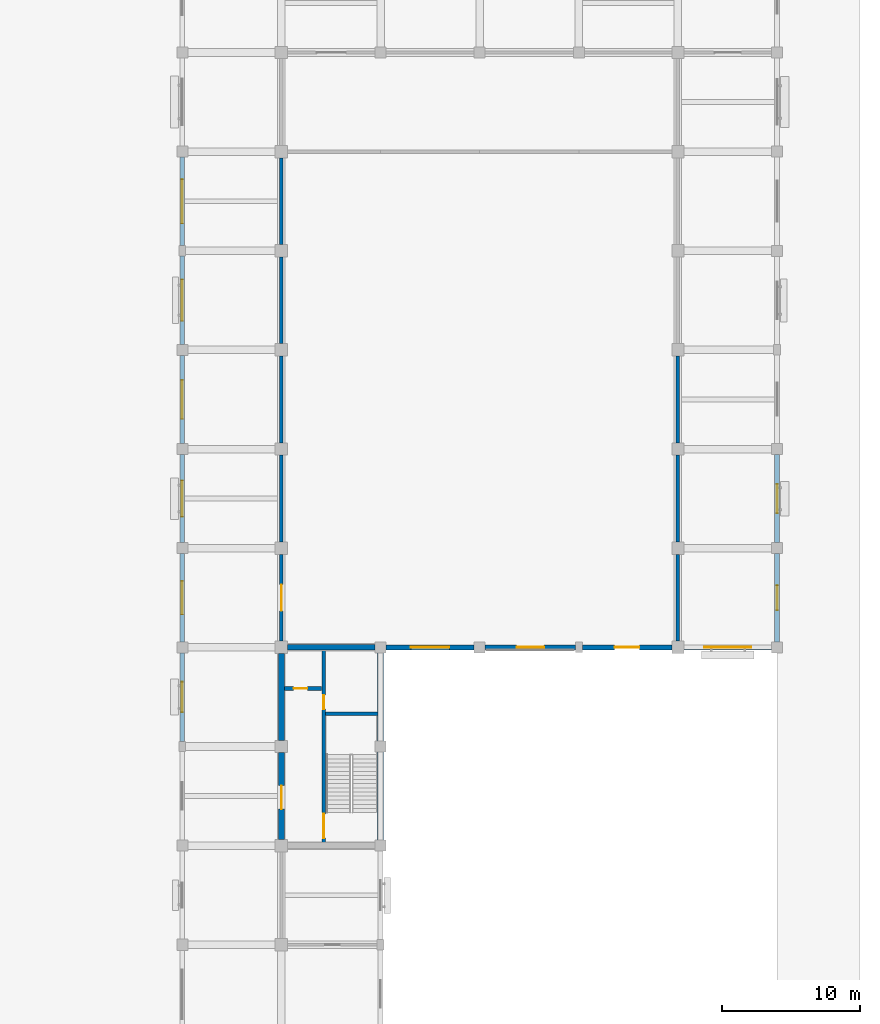
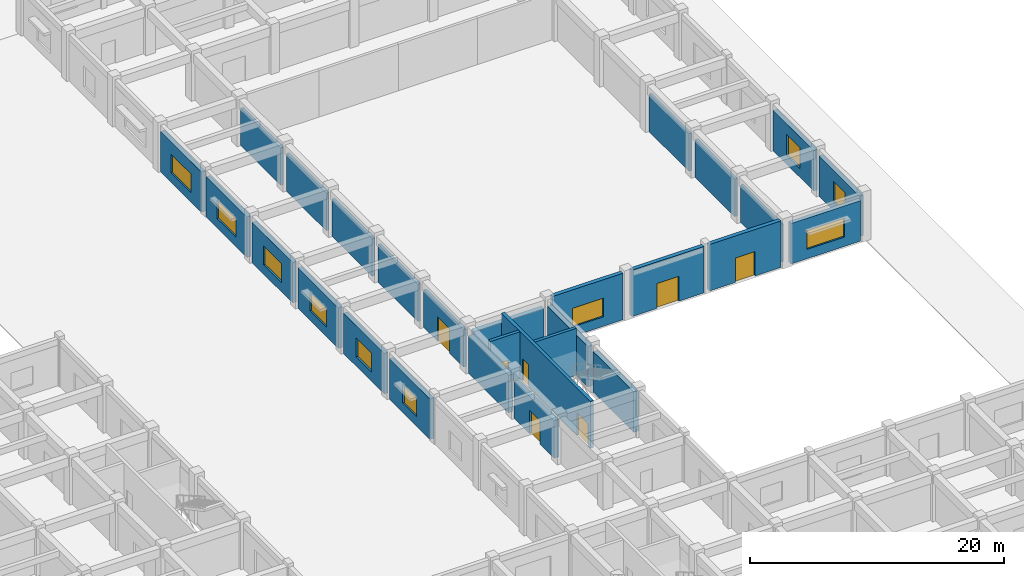
# One storey, part 19 of 37: 28 walls, 10 windows, 7 doors, 17 openings.
"""IFC4 building model written with IfcOpenShell, lengths in metres."""

from ifc_helpers import new_model, si_unit, direction, frame, frame_2d, origin, place, context, subcontext, project, spatial, rectangle, extrude, material, layer, layer_set, type_object, element, fill, save


model = new_model("IFC4")

# Units and contexts
model_context = context("Model", 3, precision=1e-05, world=origin(), true_north=direction((0.0, 1.0)))
body_context = subcontext(model_context, "Body", "Model", "MODEL_VIEW")
ifc_project = project(units=[si_unit("LENGTHUNIT", "METRE"), si_unit("AREAUNIT", "SQUARE_METRE"), si_unit("VOLUMEUNIT", "CUBIC_METRE"), si_unit("PLANEANGLEUNIT", "RADIAN"), si_unit("MASSUNIT", "GRAM", prefix="KILO")], contexts=[model_context])

# Site, building, storey
site_placement = place(None, origin())
site = spatial("IfcSite", under=ifc_project, at=site_placement, CompositionType="ELEMENT")
building_placement = place(site_placement, origin())
building = spatial("IfcBuilding", under=site, at=building_placement, Name="Cendaluz Park School", CompositionType="ELEMENT")
storey_placement = place(building_placement, origin())
storey = spatial("IfcBuildingStorey", under=building, at=storey_placement, Name="L00", CompositionType="ELEMENT", Elevation=0.0)

# Wall, opening, door
ifc_material_1 = material(Name="Gypsum Plasterboard on Cold-Formed Stud", Category="gypsum")
ifc_layer_1 = layer(ifc_material_1, 0.25)
ifc_layer_set_1 = layer_set([ifc_layer_1], Name="Gypsum Plasterboard on Cold-Formed Stud")
wall_type_1 = type_object("IfcWallType", Name="W-CP25", PredefinedType="PARTITIONING", material=ifc_layer_set_1)
wall_1_placement = place(storey_placement, frame((136.800048828125, 58.050048828125, 0.0), z_axis=(0.0, 0.0, 1.0), x_axis=(0.0, 1.0, 0.0)))
wall_1 = element("IfcWall", 1, at=wall_1_placement, inside=storey, type_object=wall_type_1, Name="WL-FA-CA4", PredefinedType="PARTITIONING", context=body_context, shape_type="SweptSolid", body=[
    extrude(rectangle(XDim=6.300048828125, YDim=0.25, at=frame_2d((3.14990234375, 0.0))), origin(), (0.0, 0.0, 1.0), 3.6201171875),
])
opening_1_placement = place(wall_1_placement, frame((2.199951171875, 0.0, 0.0)))
opening_1 = element("IfcOpeningElement", 2, at=opening_1_placement, cuts=wall_1, Name="Opening DHL-01", PredefinedType="OPENING", context=body_context, shape_type="SweptSolid", body=[
    extrude(rectangle(XDim=1.89990234375, YDim=2.35009765625, at=frame_2d((0.949951171875, 1.175048828125))), frame((0.0, 0.136962890625, 0.0), z_axis=(0.0, -1.0, 0.0), x_axis=(1.0, 0.0, 0.0)), (0.0, 0.0, 1.0), 0.27392578125),
])
ifc_material_2 = material(Name="Solid Core Hardwood", Category="wood")
door_type_1 = type_object("IfcDoorType", Name="DHL-01", OperationType="DOUBLE_DOOR_SINGLE_SWING", PredefinedType="DOOR", material=ifc_material_2)
door_1_placement = place(opening_1_placement, origin())
door_1 = element("IfcDoor", 3, at=door_1_placement, inside=storey, type_object=door_type_1, Name="D-L00-068", OperationType="DOUBLE_DOOR_SINGLE_SWING", OverallHeight=2.35009765625, OverallWidth=1.89990234375, PredefinedType="DOOR", context=body_context, shape_type="SweptSolid", body=[
    extrude(rectangle(XDim=1.89990234375, YDim=2.35009765625, at=frame_2d((0.949951171875, 1.175048828125))), frame((0.0, 0.02490234375, 0.0), z_axis=(0.0, -1.0, 0.0), x_axis=(1.0, 0.0, 0.0)), (0.0, 0.0, 1.0), 0.050048828125),
])
fill(opening_1, door_1)

# Walls
for number, where, z_axis, x_axis, name in (
    (4, (136.800048828125, 65.25, 0.0), (0.0, 0.0, 1.0), (0.0, 1.0, 0.0), "WL-FA-CA5"),
    (5, (136.800048828125, 72.449951171875, 0.0), (0.0, 0.0, 1.0), (0.0, 1.0, 0.0), "WL-FA-CA6"),
    (6, (136.800048828125, 79.64990234375, 0.0), (0.0, 0.0, 1.0), (0.0, 1.0, 0.0), "WL-FA-CA7"),
):
    element("IfcWall", number, at=place(storey_placement, frame(where, z_axis=z_axis, x_axis=x_axis)), inside=storey, type_object=wall_type_1, Name=name, PredefinedType="PARTITIONING", context=body_context, shape_type="SweptSolid", body=[
        extrude(rectangle(XDim=6.300048828125, YDim=0.25, at=frame_2d((3.14990234375, 0.0))), origin(), (0.0, 0.0, 1.0), 3.6201171875),
    ])
wall_2_placement = place(storey_placement, frame((136.800048828125, 86.85009765625, 0.0), z_axis=(0.0, 0.0, 1.0), x_axis=(0.0, 1.0, 0.0)))
element("IfcWall", 7, at=wall_2_placement, inside=storey, type_object=wall_type_1, Name="WL-FA-CA9", PredefinedType="PARTITIONING", context=body_context, shape_type="SweptSolid", body=[
    extrude(rectangle(XDim=6.2998046875, YDim=0.25, at=frame_2d((3.14990234375, 0.0))), origin(), (0.0, 0.0, 1.0), 3.6201171875),
])
for number, where, z_axis, x_axis, name in (
    (8, (165.60009765625, 58.050048828125, 0.0), (0.0, 0.0, 1.0), (0.0, 1.0, 0.0), "WL-FA-CB2"),
    (9, (165.60009765625, 65.25, 0.0), (0.0, 0.0, 1.0), (0.0, 1.0, 0.0), "WL-FA-CB3"),
    (10, (165.60009765625, 72.449951171875, 0.0), (0.0, 0.0, 1.0), (0.0, 1.0, 0.0), "WL-FA-CB4"),
):
    element("IfcWall", number, at=place(storey_placement, frame(where, z_axis=z_axis, x_axis=x_axis)), inside=storey, type_object=wall_type_1, Name=name, PredefinedType="PARTITIONING", context=body_context, shape_type="SweptSolid", body=[
        extrude(rectangle(XDim=6.300048828125, YDim=0.25, at=frame_2d((3.14990234375, 0.0))), origin(), (0.0, 0.0, 1.0), 3.6201171875),
    ])

# Wall, opening, window
ifc_material_3 = material(Name="Concrete C40/50 precast", Category="concrete")
ifc_layer_2 = layer(ifc_material_3, 0.360107421875)
ifc_layer_set_2 = layer_set([ifc_layer_2], Name="Concrete C40/50 precast")
wall_type_2 = type_object("IfcWallType", Name="W-EX36", PredefinedType="SOLIDWALL", material=ifc_layer_set_2)
wall_3_placement = place(storey_placement, frame((129.60009765625, 50.77490234375, 0.0), z_axis=(0.0, 0.0, 1.0), x_axis=(0.0, 1.0, 0.0)))
wall_3 = element("IfcWall", 11, at=wall_3_placement, inside=storey, type_object=wall_type_2, Name="WL-FA-AI6", PredefinedType="SOLIDWALL", context=body_context, shape_type="SweptSolid", body=[
    extrude(rectangle(XDim=6.425048828125, YDim=0.360107421875, at=frame_2d((3.21240234375, 0.0))), origin(), (0.0, 0.0, 1.0), 3.889892578125),
])
opening_2_placement = place(wall_3_placement, frame((2.112548828125, 0.0, 0.89990234375)))
opening_2 = element("IfcOpeningElement", 12, at=opening_2_placement, cuts=wall_3, Name="Opening WN-03", PredefinedType="OPENING", context=body_context, shape_type="SweptSolid", body=[
    extrude(rectangle(XDim=2.199951171875, YDim=1.800048828125, at=frame_2d((1.10009765625, 0.89990234375))), frame((0.0, 0.192138671875, 0.0), z_axis=(0.0, -1.0, 0.0), x_axis=(1.0, 0.0, 0.0)), (0.0, 0.0, 1.0), 0.384033203125),
])
ifc_material_4 = material(Name="Tempered Low-E Double Glazing", Category="glass")
window_type_1 = type_object("IfcWindowType", Name="WN-03", PartitioningType="SINGLE_PANEL", PredefinedType="WINDOW", material=ifc_material_4)
window_1_placement = place(opening_2_placement, origin())
window_1 = element("IfcWindow", 13, at=window_1_placement, inside=storey, type_object=window_type_1, Name="WN-L00-066", OverallHeight=1.800048828125, OverallWidth=2.199951171875, PartitioningType="SINGLE_PANEL", PredefinedType="WINDOW", context=body_context, shape_type="SweptSolid", body=[
    extrude(rectangle(XDim=2.199951171875, YDim=1.800048828125, at=frame_2d((1.10009765625, 0.89990234375))), frame((0.0, 0.030029296875, 0.0), z_axis=(0.0, -1.0, 0.0), x_axis=(1.0, 0.0, 0.0)), (0.0, 0.0, 1.0), 0.06005859375),
])
fill(opening_2, window_1)

wall_4_placement = place(storey_placement, frame((129.60009765625, 58.0, 0.0), z_axis=(0.0, 0.0, 1.0), x_axis=(0.0, 1.0, 0.0)))
wall_4 = element("IfcWall", 14, at=wall_4_placement, inside=storey, type_object=wall_type_2, Name="WL-FA-AI7", PredefinedType="SOLIDWALL", context=body_context, shape_type="SweptSolid", body=[
    extrude(rectangle(XDim=6.39990234375, YDim=0.360107421875, at=frame_2d((3.199951171875, 0.0))), origin(), (0.0, 0.0, 1.0), 3.889892578125),
])
opening_3_placement = place(wall_4_placement, frame((2.0, 0.0, 0.89990234375)))
opening_3 = element("IfcOpeningElement", 15, at=opening_3_placement, cuts=wall_4, Name="Opening WN-04", PredefinedType="OPENING", context=body_context, shape_type="SweptSolid", body=[
    extrude(rectangle(XDim=2.39990234375, YDim=1.800048828125, at=frame_2d((1.199951171875, 0.89990234375))), frame((0.0, 0.192138671875, 0.0), z_axis=(0.0, -1.0, 0.0), x_axis=(1.0, 0.0, 0.0)), (0.0, 0.0, 1.0), 0.384033203125),
])
window_type_2 = type_object("IfcWindowType", Name="WN-04", PartitioningType="SINGLE_PANEL", PredefinedType="WINDOW", material=ifc_material_4)
window_2_placement = place(opening_3_placement, origin())
window_2 = element("IfcWindow", 16, at=window_2_placement, inside=storey, type_object=window_type_2, Name="WN-L00-067", OverallHeight=1.800048828125, OverallWidth=2.39990234375, PartitioningType="SINGLE_PANEL", PredefinedType="WINDOW", context=body_context, shape_type="SweptSolid", body=[
    extrude(rectangle(XDim=2.39990234375, YDim=1.800048828125, at=frame_2d((1.199951171875, 0.89990234375))), frame((0.0, 0.030029296875, 0.0), z_axis=(0.0, -1.0, 0.0), x_axis=(1.0, 0.0, 0.0)), (0.0, 0.0, 1.0), 0.06005859375),
])
fill(opening_3, window_2)

wall_5_placement = place(storey_placement, frame((129.60009765625, 65.199951171875, 0.0), z_axis=(0.0, 0.0, 1.0), x_axis=(0.0, 1.0, 0.0)))
wall_5 = element("IfcWall", 17, at=wall_5_placement, inside=storey, type_object=wall_type_2, Name="WL-FA-AI8", PredefinedType="SOLIDWALL", context=body_context, shape_type="SweptSolid", body=[
    extrude(rectangle(XDim=6.400146484375, YDim=0.360107421875, at=frame_2d((3.2001953125, 0.0))), origin(), (0.0, 0.0, 1.0), 3.889892578125),
])
opening_4_placement = place(wall_5_placement, frame((1.89990234375, 0.0, 0.89990234375)))
opening_4 = element("IfcOpeningElement", 18, at=opening_4_placement, cuts=wall_5, Name="Opening WN-05", PredefinedType="OPENING", context=body_context, shape_type="SweptSolid", body=[
    extrude(rectangle(XDim=2.60009765625, YDim=1.800048828125, at=frame_2d((1.300048828125, 0.89990234375))), frame((0.0, 0.192138671875, 0.0), z_axis=(0.0, -1.0, 0.0), x_axis=(1.0, 0.0, 0.0)), (0.0, 0.0, 1.0), 0.384033203125),
])
window_type_3 = type_object("IfcWindowType", Name="WN-05", PartitioningType="SINGLE_PANEL", PredefinedType="WINDOW", material=ifc_material_4)
window_3_placement = place(opening_4_placement, origin())
window_3 = element("IfcWindow", 19, at=window_3_placement, inside=storey, type_object=window_type_3, Name="WN-L00-068", OverallHeight=1.800048828125, OverallWidth=2.60009765625, PartitioningType="SINGLE_PANEL", PredefinedType="WINDOW", context=body_context, shape_type="SweptSolid", body=[
    extrude(rectangle(XDim=2.60009765625, YDim=1.800048828125, at=frame_2d((1.300048828125, 0.89990234375))), frame((0.0, 0.030029296875, 0.0), z_axis=(0.0, -1.0, 0.0), x_axis=(1.0, 0.0, 0.0)), (0.0, 0.0, 1.0), 0.06005859375),
])
fill(opening_4, window_3)

wall_6_placement = place(storey_placement, frame((129.60009765625, 72.39990234375, 0.0), z_axis=(0.0, 0.0, 1.0), x_axis=(0.0, 1.0, 0.0)))
wall_6 = element("IfcWall", 20, at=wall_6_placement, inside=storey, type_object=wall_type_2, Name="WL-FA-AI9", PredefinedType="SOLIDWALL", context=body_context, shape_type="SweptSolid", body=[
    extrude(rectangle(XDim=6.400146484375, YDim=0.360107421875, at=frame_2d((3.2001953125, 0.0))), origin(), (0.0, 0.0, 1.0), 3.889892578125),
])
opening_5_placement = place(wall_6_placement, frame((1.800048828125, 0.0, 0.89990234375)))
opening_5 = element("IfcOpeningElement", 21, at=opening_5_placement, cuts=wall_6, Name="Opening WN-06", PredefinedType="OPENING", context=body_context, shape_type="SweptSolid", body=[
    extrude(rectangle(XDim=2.800048828125, YDim=1.800048828125, at=frame_2d((1.39990234375, 0.89990234375))), frame((0.0, 0.192138671875, 0.0), z_axis=(0.0, -1.0, 0.0), x_axis=(1.0, 0.0, 0.0)), (0.0, 0.0, 1.0), 0.384033203125),
])
window_type_4 = type_object("IfcWindowType", Name="WN-06", PartitioningType="SINGLE_PANEL", PredefinedType="WINDOW", material=ifc_material_4)
window_4_placement = place(opening_5_placement, origin())
window_4 = element("IfcWindow", 22, at=window_4_placement, inside=storey, type_object=window_type_4, Name="WN-L00-069", OverallHeight=1.800048828125, OverallWidth=2.800048828125, PartitioningType="SINGLE_PANEL", PredefinedType="WINDOW", context=body_context, shape_type="SweptSolid", body=[
    extrude(rectangle(XDim=2.800048828125, YDim=1.800048828125, at=frame_2d((1.39990234375, 0.89990234375))), frame((0.0, 0.030029296875, 0.0), z_axis=(0.0, -1.0, 0.0), x_axis=(1.0, 0.0, 0.0)), (0.0, 0.0, 1.0), 0.06005859375),
])
fill(opening_5, window_4)

wall_7_placement = place(storey_placement, frame((129.60009765625, 79.60009765625, 0.0), z_axis=(0.0, 0.0, 1.0), x_axis=(0.0, 1.0, 0.0)))
wall_7 = element("IfcWall", 23, at=wall_7_placement, inside=storey, type_object=wall_type_2, Name="WL-FA-AJ0", PredefinedType="SOLIDWALL", context=body_context, shape_type="SweptSolid", body=[
    extrude(rectangle(XDim=6.4248046875, YDim=0.360107421875, at=frame_2d((3.21240234375, 0.0))), origin(), (0.0, 0.0, 1.0), 3.889892578125),
])
opening_6_placement = place(wall_7_placement, frame((1.71240234375, 0.0, 0.89990234375)))
opening_6 = element("IfcOpeningElement", 24, at=opening_6_placement, cuts=wall_7, Name="Opening WN-07", PredefinedType="OPENING", context=body_context, shape_type="SweptSolid", body=[
    extrude(rectangle(XDim=3.0, YDim=1.800048828125, at=frame_2d((1.5, 0.89990234375))), frame((0.0, 0.192138671875, 0.0), z_axis=(0.0, -1.0, 0.0), x_axis=(1.0, 0.0, 0.0)), (0.0, 0.0, 1.0), 0.384033203125),
])
window_type_5 = type_object("IfcWindowType", Name="WN-07", PartitioningType="SINGLE_PANEL", PredefinedType="WINDOW", material=ifc_material_4)
window_5_placement = place(opening_6_placement, origin())
window_5 = element("IfcWindow", 25, at=window_5_placement, inside=storey, type_object=window_type_5, Name="WN-L00-070", OverallHeight=1.800048828125, OverallWidth=3.0, PartitioningType="SINGLE_PANEL", PredefinedType="WINDOW", context=body_context, shape_type="SweptSolid", body=[
    extrude(rectangle(XDim=3.0, YDim=1.800048828125, at=frame_2d((1.5, 0.89990234375))), frame((0.0, 0.030029296875, 0.0), z_axis=(0.0, -1.0, 0.0), x_axis=(1.0, 0.0, 0.0)), (0.0, 0.0, 1.0), 0.06005859375),
])
fill(opening_6, window_5)

wall_8_placement = place(storey_placement, frame((129.60009765625, 86.77490234375, 0.0), z_axis=(0.0, 0.0, 1.0), x_axis=(0.0, 1.0, 0.0)))
wall_8 = element("IfcWall", 26, at=wall_8_placement, inside=storey, type_object=wall_type_2, Name="WL-FA-AJ1", PredefinedType="SOLIDWALL", context=body_context, shape_type="SweptSolid", body=[
    extrude(rectangle(XDim=6.425048828125, YDim=0.360107421875, at=frame_2d((3.21240234375, 0.0))), origin(), (0.0, 0.0, 1.0), 3.889892578125),
])
opening_7_placement = place(wall_8_placement, frame((1.612548828125, 0.0, 0.89990234375)))
opening_7 = element("IfcOpeningElement", 27, at=opening_7_placement, cuts=wall_8, Name="Opening WN-08", PredefinedType="OPENING", context=body_context, shape_type="SweptSolid", body=[
    extrude(rectangle(XDim=3.199951171875, YDim=1.800048828125, at=frame_2d((1.60009765625, 0.89990234375))), frame((0.0, 0.192138671875, 0.0), z_axis=(0.0, -1.0, 0.0), x_axis=(1.0, 0.0, 0.0)), (0.0, 0.0, 1.0), 0.384033203125),
])
window_type_6 = type_object("IfcWindowType", Name="WN-08", PartitioningType="SINGLE_PANEL", PredefinedType="WINDOW", material=ifc_material_4)
window_6_placement = place(opening_7_placement, origin())
window_6 = element("IfcWindow", 28, at=window_6_placement, inside=storey, type_object=window_type_6, Name="WN-L00-071", OverallHeight=1.800048828125, OverallWidth=3.199951171875, PartitioningType="SINGLE_PANEL", PredefinedType="WINDOW", context=body_context, shape_type="SweptSolid", body=[
    extrude(rectangle(XDim=3.199951171875, YDim=1.800048828125, at=frame_2d((1.60009765625, 0.89990234375))), frame((0.0, 0.030029296875, 0.0), z_axis=(0.0, -1.0, 0.0), x_axis=(1.0, 0.0, 0.0)), (0.0, 0.0, 1.0), 0.06005859375),
])
fill(opening_7, window_6)

wall_9_placement = place(storey_placement, frame((144.39990234375, 57.60009765625, 0.0), z_axis=(0.0, 0.0, 1.0), x_axis=(1.0, 0.0, 0.0)))
wall_9 = element("IfcWall", 29, at=wall_9_placement, inside=storey, type_object=wall_type_2, Name="WL-FA-AK2", PredefinedType="SOLIDWALL", context=body_context, shape_type="SweptSolid", body=[
    extrude(rectangle(XDim=6.400146484375, YDim=0.360107421875, at=frame_2d((3.2001953125, 0.0))), origin(), (0.0, 0.0, 1.0), 4.469970703125),
])
opening_8_placement = place(wall_9_placement, frame((1.800048828125, 0.0, 0.89990234375)))
opening_8 = element("IfcOpeningElement", 30, at=opening_8_placement, cuts=wall_9, Name="Opening WN-06", PredefinedType="OPENING", context=body_context, shape_type="SweptSolid", body=[
    extrude(rectangle(XDim=2.800048828125, YDim=1.800048828125, at=frame_2d((1.39990234375, 0.89990234375))), frame((0.0, 0.192138671875, 0.0), z_axis=(0.0, -1.0, 0.0), x_axis=(1.0, 0.0, 0.0)), (0.0, 0.0, 1.0), 0.384033203125),
])
window_7_placement = place(opening_8_placement, origin())
window_7 = element("IfcWindow", 31, at=window_7_placement, inside=storey, type_object=window_type_4, Name="WN-L00-080", OverallHeight=1.800048828125, OverallWidth=2.800048828125, PartitioningType="SINGLE_PANEL", PredefinedType="WINDOW", context=body_context, shape_type="SweptSolid", body=[
    extrude(rectangle(XDim=2.800048828125, YDim=1.800048828125, at=frame_2d((1.39990234375, 0.89990234375))), frame((0.0, 0.030029296875, 0.0), z_axis=(0.0, -1.0, 0.0), x_axis=(1.0, 0.0, 0.0)), (0.0, 0.0, 1.0), 0.06005859375),
])
fill(opening_8, window_7)

# Wall, opening, door
wall_10_placement = place(storey_placement, frame((151.60009765625, 57.60009765625, 0.0), z_axis=(0.0, 0.0, 1.0), x_axis=(1.0, 0.0, 0.0)))
wall_10 = element("IfcWall", 32, at=wall_10_placement, inside=storey, type_object=wall_type_2, Name="WL-FA-AK6", PredefinedType="SOLIDWALL", context=body_context, shape_type="SweptSolid", body=[
    extrude(rectangle(XDim=6.5498046875, YDim=0.360107421875, at=frame_2d((3.27490234375, 0.0))), origin(), (0.0, 0.0, 1.0), 4.469970703125),
])
opening_9_placement = place(wall_10_placement, frame((2.27490234375, 0.0, 0.0)))
opening_9 = element("IfcOpeningElement", 33, at=opening_9_placement, cuts=wall_10, Name="Opening DEX-02", PredefinedType="OPENING", context=body_context, shape_type="SweptSolid", body=[
    extrude(rectangle(XDim=2.0, YDim=2.39990234375, at=frame_2d((1.0, 1.199951171875))), frame((0.0, 0.192138671875, 0.0), z_axis=(0.0, -1.0, 0.0), x_axis=(1.0, 0.0, 0.0)), (0.0, 0.0, 1.0), 0.384033203125),
])
ifc_material_5 = material(Name="Architectural Bronze")
door_type_2 = type_object("IfcDoorType", Name="DEX-02", OperationType="DOUBLE_DOOR_SINGLE_SWING", PredefinedType="DOOR", material=ifc_material_5)
door_2_placement = place(opening_9_placement, frame((2.0, 0.0, 0.0), z_axis=(0.0, 0.0, 1.0), x_axis=(-1.0, 0.0, 0.0)))
door_2 = element("IfcDoor", 34, at=door_2_placement, inside=storey, type_object=door_type_2, Name="D-L00-025", OperationType="DOUBLE_DOOR_SINGLE_SWING", OverallHeight=2.39990234375, OverallWidth=2.0, PredefinedType="DOOR", context=body_context, shape_type="SweptSolid", body=[
    extrude(rectangle(XDim=2.0, YDim=2.39990234375, at=frame_2d((1.0, 1.199951171875))), frame((0.0, 0.02490234375, 0.0), z_axis=(0.0, -1.0, 0.0), x_axis=(1.0, 0.0, 0.0)), (0.0, 0.0, 1.0), 0.050048828125),
])
fill(opening_9, door_2)

wall_11_placement = place(storey_placement, frame((158.64990234375, 57.60009765625, 0.0), z_axis=(0.0, 0.0, 1.0), x_axis=(1.0, 0.0, 0.0)))
wall_11 = element("IfcWall", 35, at=wall_11_placement, inside=storey, type_object=wall_type_2, Name="WL-FA-AL0", PredefinedType="SOLIDWALL", context=body_context, shape_type="SweptSolid", body=[
    extrude(rectangle(XDim=6.5, YDim=0.360107421875, at=frame_2d((3.25, 0.0))), origin(), (0.0, 0.0, 1.0), 4.469970703125),
])
opening_10_placement = place(wall_11_placement, frame((2.35009765625, 0.0, 0.0)))
opening_10 = element("IfcOpeningElement", 36, at=opening_10_placement, cuts=wall_11, Name="Opening DEX-03", PredefinedType="OPENING", context=body_context, shape_type="SweptSolid", body=[
    extrude(rectangle(XDim=1.800048828125, YDim=2.35009765625, at=frame_2d((0.89990234375, 1.175048828125))), frame((0.0, 0.192138671875, 0.0), z_axis=(0.0, -1.0, 0.0), x_axis=(1.0, 0.0, 0.0)), (0.0, 0.0, 1.0), 0.384033203125),
])
door_type_3 = type_object("IfcDoorType", Name="DEX-03", OperationType="DOUBLE_DOOR_SINGLE_SWING", PredefinedType="DOOR", material=ifc_material_5)
door_3_placement = place(opening_10_placement, frame((1.800048828125, 0.0, 0.0), z_axis=(0.0, 0.0, 1.0), x_axis=(-1.0, 0.0, 0.0)))
door_3 = element("IfcDoor", 37, at=door_3_placement, inside=storey, type_object=door_type_3, Name="D-L00-028", OperationType="DOUBLE_DOOR_SINGLE_SWING", OverallHeight=2.35009765625, OverallWidth=1.800048828125, PredefinedType="DOOR", context=body_context, shape_type="SweptSolid", body=[
    extrude(rectangle(XDim=1.800048828125, YDim=2.35009765625, at=frame_2d((0.89990234375, 1.175048828125))), frame((0.0, 0.02490234375, 0.0), z_axis=(0.0, -1.0, 0.0), x_axis=(1.0, 0.0, 0.0)), (0.0, 0.0, 1.0), 0.050048828125),
])
fill(opening_10, door_3)

# Wall, opening, window
wall_12_placement = place(storey_placement, frame((166.050048828125, 57.60009765625, 0.0), z_axis=(0.0, 0.0, 1.0), x_axis=(1.0, 0.0, 0.0)))
wall_12 = element("IfcWall", 38, at=wall_12_placement, inside=storey, type_object=wall_type_2, Name="WL-FA-AL8", PredefinedType="SOLIDWALL", context=body_context, shape_type="SweptSolid", body=[
    extrude(rectangle(XDim=6.349853515625, YDim=0.360107421875, at=frame_2d((3.1748046875, 0.0))), origin(), (0.0, 0.0, 1.0), 3.889892578125),
])
opening_11_placement = place(wall_12_placement, frame((1.47509765625, 0.0, 0.89990234375)))
opening_11 = element("IfcOpeningElement", 39, at=opening_11_placement, cuts=wall_12, Name="Opening WN-09", PredefinedType="OPENING", context=body_context, shape_type="SweptSolid", body=[
    extrude(rectangle(XDim=3.39990234375, YDim=1.800048828125, at=frame_2d((1.699951171875, 0.89990234375))), frame((0.0, 0.192138671875, 0.0), z_axis=(0.0, -1.0, 0.0), x_axis=(1.0, 0.0, 0.0)), (0.0, 0.0, 1.0), 0.384033203125),
])
window_type_7 = type_object("IfcWindowType", Name="WN-09", PartitioningType="SINGLE_PANEL", PredefinedType="WINDOW", material=ifc_material_4)
window_8_placement = place(opening_11_placement, origin())
window_8 = element("IfcWindow", 40, at=window_8_placement, inside=storey, type_object=window_type_7, Name="WN-L00-090", OverallHeight=1.800048828125, OverallWidth=3.39990234375, PartitioningType="SINGLE_PANEL", PredefinedType="WINDOW", context=body_context, shape_type="SweptSolid", body=[
    extrude(rectangle(XDim=3.39990234375, YDim=1.800048828125, at=frame_2d((1.699951171875, 0.89990234375))), frame((0.0, 0.030029296875, 0.0), z_axis=(0.0, -1.0, 0.0), x_axis=(1.0, 0.0, 0.0)), (0.0, 0.0, 1.0), 0.06005859375),
])
fill(opening_11, window_8)

wall_13_placement = place(storey_placement, frame((172.800048828125, 58.0, 0.0), z_axis=(0.0, 0.0, 1.0), x_axis=(0.0, 1.0, 0.0)))
wall_13 = element("IfcWall", 41, at=wall_13_placement, inside=storey, type_object=wall_type_2, Name="WL-FA-AL9", PredefinedType="SOLIDWALL", context=body_context, shape_type="SweptSolid", body=[
    extrude(rectangle(XDim=6.39990234375, YDim=0.360107421875, at=frame_2d((3.199951171875, 0.0))), origin(), (0.0, 0.0, 1.0), 3.889892578125),
])
opening_12_placement = place(wall_13_placement, frame((2.300048828125, 0.0, 0.85009765625)))
opening_12 = element("IfcOpeningElement", 42, at=opening_12_placement, cuts=wall_13, Name="Opening WN-10", PredefinedType="OPENING", context=body_context, shape_type="SweptSolid", body=[
    extrude(rectangle(XDim=1.800048828125, YDim=2.0, at=frame_2d((0.89990234375, 1.0))), frame((0.0, 0.192138671875, 0.0), z_axis=(0.0, -1.0, 0.0), x_axis=(1.0, 0.0, 0.0)), (0.0, 0.0, 1.0), 0.384033203125),
])
window_type_8 = type_object("IfcWindowType", Name="WN-10", PartitioningType="SINGLE_PANEL", PredefinedType="WINDOW", material=ifc_material_4)
window_9_placement = place(opening_12_placement, origin())
window_9 = element("IfcWindow", 43, at=window_9_placement, inside=storey, type_object=window_type_8, Name="WN-L00-091", OverallHeight=2.0, OverallWidth=1.800048828125, PartitioningType="SINGLE_PANEL", PredefinedType="WINDOW", context=body_context, shape_type="SweptSolid", body=[
    extrude(rectangle(XDim=1.800048828125, YDim=2.0, at=frame_2d((0.89990234375, 1.0))), frame((0.0, 0.030029296875, 0.0), z_axis=(0.0, -1.0, 0.0), x_axis=(1.0, 0.0, 0.0)), (0.0, 0.0, 1.0), 0.06005859375),
])
fill(opening_12, window_9)

wall_14_placement = place(storey_placement, frame((172.800048828125, 65.199951171875, 0.0), z_axis=(0.0, 0.0, 1.0), x_axis=(0.0, 1.0, 0.0)))
wall_14 = element("IfcWall", 44, at=wall_14_placement, inside=storey, type_object=wall_type_2, Name="WL-FA-AM0", PredefinedType="SOLIDWALL", context=body_context, shape_type="SweptSolid", body=[
    extrude(rectangle(XDim=6.400146484375, YDim=0.360107421875, at=frame_2d((3.2001953125, 0.0))), origin(), (0.0, 0.0, 1.0), 3.889892578125),
])
opening_13_placement = place(wall_14_placement, frame((2.14990234375, 0.0, 0.85009765625)))
opening_13 = element("IfcOpeningElement", 45, at=opening_13_placement, cuts=wall_14, Name="Opening WN-11", PredefinedType="OPENING", context=body_context, shape_type="SweptSolid", body=[
    extrude(rectangle(XDim=2.10009765625, YDim=2.0, at=frame_2d((1.050048828125, 1.0))), frame((0.0, 0.192138671875, 0.0), z_axis=(0.0, -1.0, 0.0), x_axis=(1.0, 0.0, 0.0)), (0.0, 0.0, 1.0), 0.384033203125),
])
window_type_9 = type_object("IfcWindowType", Name="WN-11", PartitioningType="SINGLE_PANEL", PredefinedType="WINDOW", material=ifc_material_4)
window_10_placement = place(opening_13_placement, origin())
window_10 = element("IfcWindow", 46, at=window_10_placement, inside=storey, type_object=window_type_9, Name="WN-L00-092", OverallHeight=2.0, OverallWidth=2.10009765625, PartitioningType="SINGLE_PANEL", PredefinedType="WINDOW", context=body_context, shape_type="SweptSolid", body=[
    extrude(rectangle(XDim=2.10009765625, YDim=2.0, at=frame_2d((1.050048828125, 1.0))), frame((0.0, 0.030029296875, 0.0), z_axis=(0.0, -1.0, 0.0), x_axis=(1.0, 0.0, 0.0)), (0.0, 0.0, 1.0), 0.06005859375),
])
fill(opening_13, window_10)

# Wall, openings, doors
ifc_material_6 = material(Name="Concrete C40/50", Category="concrete")
ifc_layer_3 = layer(ifc_material_6, 0.280029296875)
ifc_layer_set_3 = layer_set([ifc_layer_3], Name="Concrete C40/50")
wall_type_3 = type_object("IfcWallType", Name="W-FW28", PredefinedType="SHEAR", material=ifc_layer_set_3)
wall_15_placement = place(storey_placement, frame((139.8798828125, 43.39990234375, 0.0), z_axis=(0.0, 0.0, 1.0), x_axis=(0.0, 1.0, 0.0)))
wall_15 = element("IfcWall", 47, at=wall_15_placement, inside=storey, type_object=wall_type_3, Name="WL-FA-BX7", PredefinedType="SHEAR", context=body_context, shape_type="SweptSolid", body=[
    extrude(rectangle(XDim=14.0, YDim=0.280029296875, at=frame_2d((7.0, 0.0))), origin(), (0.0, 0.0, 1.0), 4.52001953125),
])
opening_14_placement = place(wall_15_placement, frame((0.35009765625, 0.0, 0.0)))
opening_14 = element("IfcOpeningElement", 48, at=opening_14_placement, cuts=wall_15, Name="Opening DST-03", PredefinedType="OPENING", context=body_context, shape_type="SweptSolid", body=[
    extrude(rectangle(XDim=1.75, YDim=2.14990234375, at=frame_2d((0.875, 1.074951171875))), frame((0.0, 0.152099609375, 0.0), z_axis=(0.0, -1.0, 0.0), x_axis=(1.0, 0.0, 0.0)), (0.0, 0.0, 1.0), 0.303955078125),
])
opening_15_placement = place(wall_15_placement, frame((9.719970703125, 0.0, 0.0)))
opening_15 = element("IfcOpeningElement", 49, at=opening_15_placement, cuts=wall_15, Name="Opening DFC-01", PredefinedType="OPENING", context=body_context, shape_type="SweptSolid", body=[
    extrude(rectangle(XDim=1.0, YDim=2.14990234375, at=frame_2d((0.5, 1.074951171875))), frame((0.0, 0.152099609375, 0.0), z_axis=(0.0, -1.0, 0.0), x_axis=(1.0, 0.0, 0.0)), (0.0, 0.0, 1.0), 0.303955078125),
])
door_type_4 = type_object("IfcDoorType", Name="DFC-01", OperationType="NOTDEFINED", PredefinedType="DOOR", material=ifc_material_2)
door_4_placement = place(opening_15_placement, frame((1.0, 0.0, 0.0), z_axis=(0.0, 0.0, 1.0), x_axis=(-1.0, 0.0, 0.0)))
door_4 = element("IfcDoor", 50, at=door_4_placement, inside=storey, type_object=door_type_4, Name="D-L00-062", OperationType="SINGLE_SWING_LEFT", OverallHeight=2.14990234375, OverallWidth=1.0, PredefinedType="DOOR", context=body_context, shape_type="SweptSolid", body=[
    extrude(rectangle(XDim=1.0, YDim=2.14990234375, at=frame_2d((0.5, 1.074951171875))), frame((0.0, 0.02490234375, 0.0), z_axis=(0.0, -1.0, 0.0), x_axis=(1.0, 0.0, 0.0)), (0.0, 0.0, 1.0), 0.050048828125),
])
fill(opening_15, door_4)
door_type_5 = type_object("IfcDoorType", Name="DST-03", OperationType="DOUBLE_DOOR_SINGLE_SWING", PredefinedType="DOOR", material=ifc_material_2)
door_5_placement = place(opening_14_placement, origin())
door_5 = element("IfcDoor", 51, at=door_5_placement, inside=storey, type_object=door_type_5, Name="D-L00-061", OperationType="DOUBLE_DOOR_SINGLE_SWING", OverallHeight=2.14990234375, OverallWidth=1.75, PredefinedType="DOOR", context=body_context, shape_type="SweptSolid", body=[
    extrude(rectangle(XDim=1.75, YDim=2.14990234375, at=frame_2d((0.875, 1.074951171875))), frame((0.0, 0.02490234375, 0.0), z_axis=(0.0, -1.0, 0.0), x_axis=(1.0, 0.0, 0.0)), (0.0, 0.0, 1.0), 0.050048828125),
])
fill(opening_14, door_5)

# Wall
wall_16_placement = place(storey_placement, frame((140.02001953125, 52.780029296875, 0.0), z_axis=(0.0, 0.0, 1.0), x_axis=(1.0, 0.0, 0.0)))
element("IfcWall", 52, at=wall_16_placement, inside=storey, type_object=wall_type_3, Name="WL-FA-BX8", PredefinedType="SHEAR", context=body_context, shape_type="SweptSolid", body=[
    extrude(rectangle(XDim=3.780029296875, YDim=0.280029296875, at=frame_2d((1.89013671875, 0.0))), origin(), (0.0, 0.0, 1.0), 4.52001953125),
])

# Wall, opening, door
wall_17_placement = place(storey_placement, frame((137.0400390625, 54.60009765625, 0.0), z_axis=(0.0, 0.0, 1.0), x_axis=(1.0, 0.0, 0.0)))
wall_17 = element("IfcWall", 53, at=wall_17_placement, inside=storey, type_object=wall_type_3, Name="WL-FA-BX9", PredefinedType="SHEAR", context=body_context, shape_type="SweptSolid", body=[
    extrude(rectangle(XDim=2.679931640625, YDim=0.280029296875, at=frame_2d((1.33984375, 0.0))), origin(), (0.0, 0.0, 1.0), 4.52001953125),
])
opening_16_placement = place(wall_17_placement, frame((0.64990234375, 0.0, 0.0)))
opening_16 = element("IfcOpeningElement", 54, at=opening_16_placement, cuts=wall_17, Name="Opening DFC-01", PredefinedType="OPENING", context=body_context, shape_type="SweptSolid", body=[
    extrude(rectangle(XDim=1.0, YDim=2.14990234375, at=frame_2d((0.5, 1.074951171875))), frame((0.0, 0.152099609375, 0.0), z_axis=(0.0, -1.0, 0.0), x_axis=(1.0, 0.0, 0.0)), (0.0, 0.0, 1.0), 0.303955078125),
])
door_6_placement = place(opening_16_placement, frame((1.0, 0.0, 0.0), z_axis=(0.0, 0.0, 1.0), x_axis=(-1.0, 0.0, 0.0)))
door_6 = element("IfcDoor", 55, at=door_6_placement, inside=storey, type_object=door_type_4, Name="D-L00-063", OperationType="SINGLE_SWING_RIGHT", OverallHeight=2.14990234375, OverallWidth=1.0, PredefinedType="DOOR", context=body_context, shape_type="SweptSolid", body=[
    extrude(rectangle(XDim=1.0, YDim=2.14990234375, at=frame_2d((0.5, 1.074951171875))), frame((0.0, 0.02490234375, 0.0), z_axis=(0.0, -1.0, 0.0), x_axis=(1.0, 0.0, 0.0)), (0.0, 0.0, 1.0), 0.050048828125),
])
fill(opening_16, door_6)

ifc_layer_4 = layer(ifc_material_6, 0.419921875)
ifc_layer_set_4 = layer_set([ifc_layer_4], Name="Concrete C40/50")
wall_type_4 = type_object("IfcWallType", Name="W-SH42", PredefinedType="SHEAR", material=ifc_layer_set_4)
wall_18_placement = place(storey_placement, frame((136.800048828125, 43.64990234375, 0.0), z_axis=(0.0, 0.0, 1.0), x_axis=(0.0, 1.0, 0.0)))
wall_18 = element("IfcWall", 56, at=wall_18_placement, inside=storey, type_object=wall_type_4, Name="WL-FA-BX1", PredefinedType="SHEAR", context=body_context, shape_type="SweptSolid", body=[
    extrude(rectangle(XDim=6.300048828125, YDim=0.419921875, at=frame_2d((3.14990234375, 0.0))), origin(), (0.0, 0.0, 1.0), 3.6201171875),
])
opening_17_placement = place(wall_18_placement, frame((2.199951171875, 0.0, 0.0)))
opening_17 = element("IfcOpeningElement", 57, at=opening_17_placement, cuts=wall_18, Name="Opening DLB-02", PredefinedType="OPENING", context=body_context, shape_type="SweptSolid", body=[
    extrude(rectangle(XDim=1.699951171875, YDim=2.25, at=frame_2d((0.85009765625, 1.125))), frame((0.0, 0.221923828125, 0.0), z_axis=(0.0, -1.0, 0.0), x_axis=(1.0, 0.0, 0.0)), (0.0, 0.0, 1.0), 0.44384765625),
])
door_type_6 = type_object("IfcDoorType", Name="DLB-02", OperationType="DOUBLE_DOOR_SINGLE_SWING", PredefinedType="DOOR", material=ifc_material_2)
door_7_placement = place(opening_17_placement, origin())
door_7 = element("IfcDoor", 58, at=door_7_placement, inside=storey, type_object=door_type_6, Name="D-L00-060", OperationType="DOUBLE_DOOR_SINGLE_SWING", OverallHeight=2.25, OverallWidth=1.699951171875, PredefinedType="DOOR", context=body_context, shape_type="SweptSolid", body=[
    extrude(rectangle(XDim=1.699951171875, YDim=2.25, at=frame_2d((0.85009765625, 1.125))), frame((0.0, 0.02490234375, 0.0), z_axis=(0.0, -1.0, 0.0), x_axis=(1.0, 0.0, 0.0)), (0.0, 0.0, 1.0), 0.050048828125),
])
fill(opening_17, door_7)

# Walls
wall_19_placement = place(storey_placement, frame((136.800048828125, 50.85009765625, 0.0), z_axis=(0.0, 0.0, 1.0), x_axis=(0.0, 1.0, 0.0)))
element("IfcWall", 59, at=wall_19_placement, inside=storey, type_object=wall_type_4, Name="WL-FA-BX2", PredefinedType="SHEAR", context=body_context, shape_type="SweptSolid", body=[
    extrude(rectangle(XDim=6.2998046875, YDim=0.419921875, at=frame_2d((3.14990234375, 0.0))), origin(), (0.0, 0.0, 1.0), 3.6201171875),
])
for number, where, z_axis, x_axis, name in (
    (60, (144.0, 43.60009765625, 0.0), (0.0, 0.0, 1.0), (0.0, 1.0, 0.0), "WL-FA-BX3"),
    (61, (144.0, 50.800048828125, 0.0), (0.0, 0.0, 1.0), (0.0, 1.0, 0.0), "WL-FA-BX4"),
):
    element("IfcWall", number, at=place(storey_placement, frame(where, z_axis=z_axis, x_axis=x_axis)), inside=storey, type_object=wall_type_4, Name=name, PredefinedType="SHEAR", context=body_context, shape_type="SweptSolid", body=[
        extrude(rectangle(XDim=6.39990234375, YDim=0.419921875, at=frame_2d((3.199951171875, 0.0))), origin(), (0.0, 0.0, 1.0), 3.889892578125),
    ])
wall_20_placement = place(storey_placement, frame((137.25, 57.60009765625, 0.0), z_axis=(0.0, 0.0, 1.0), x_axis=(1.0, 0.0, 0.0)))
element("IfcWall", 62, at=wall_20_placement, inside=storey, type_object=wall_type_4, Name="WL-FA-BX6", PredefinedType="SHEAR", context=body_context, shape_type="SweptSolid", body=[
    extrude(rectangle(XDim=6.35009765625, YDim=0.419921875, at=frame_2d((3.175048828125, 0.0))), origin(), (0.0, 0.0, 1.0), 3.6201171875),
])

save(model, "model.ifc")
